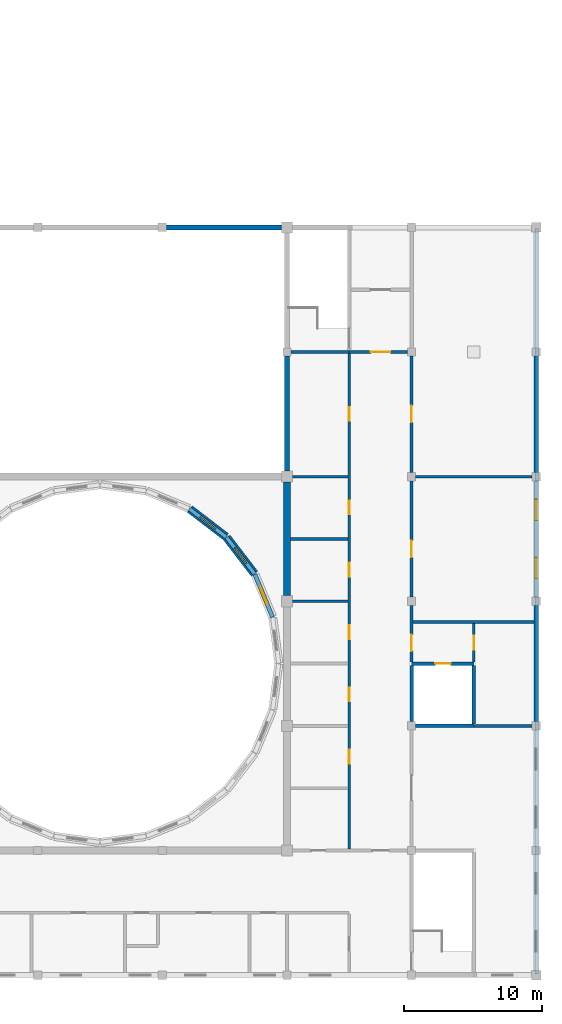
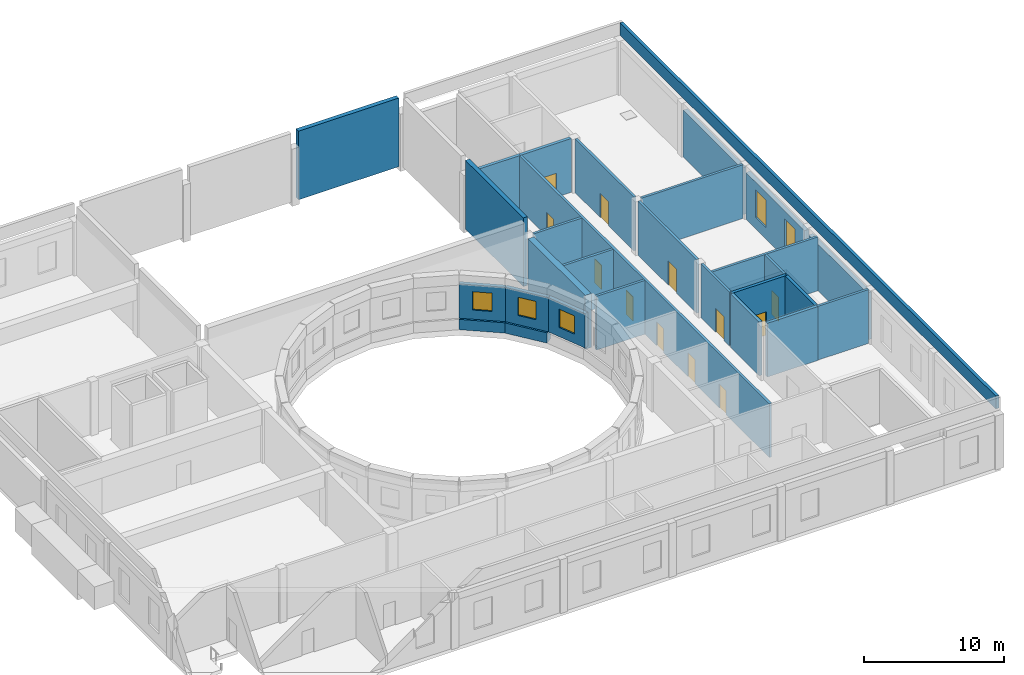
# One storey, part 27 of 35: 29 walls, 12 doors, 5 windows, 17 openings.
"""IFC4 building model written with IfcOpenShell, lengths in metres."""

import ifcopenshell
import ifcopenshell.guid

model = None  # the IFC model being written
_history = None  # IfcOwnerHistory: only IFC2X3 demands one
_inside = {}  # id of a spatial element -> (the spatial element, [elements in it])
_under = {}  # id of a project, library or spatial element -> (it, [spatial elements below it])
_declared = {}  # id of a project -> (the project, [libraries it declares])
_typed = {}  # id of a type object -> (the type object, [elements of that type])
_made_of = {}  # id of a material, layer set ... -> (it, [elements and type objects made of it])


def new_model(schema):
    """Start an empty IFC model of exactly this schema.

    Asked for "IFC4X3", IfcOpenShell would pick the latest addendum, in which some entities
    have other attributes; the version numbers below select the first issue.
    IFC2X3 requires an IfcOwnerHistory on every rooted entity: one is made here for all.
    """
    global model, _history
    if schema == "IFC4X3":
        model = ifcopenshell.file(schema_version=(4, 3, 0, 0))
    else:
        model = ifcopenshell.file(schema=schema)
    _inside.clear()
    _under.clear()
    _declared.clear()
    _typed.clear()
    _made_of.clear()
    _history = None
    if model.schema == "IFC2X3":
        org = make("IfcOrganization", Name="unknown")
        user = make(
            "IfcPersonAndOrganization",
            ThePerson=make("IfcPerson", FamilyName="unknown"),
            TheOrganization=org,
        )
        app = make(
            "IfcApplication",
            ApplicationDeveloper=org,
            Version="unknown",
            ApplicationFullName="unknown",
            ApplicationIdentifier="unknown",
        )
        _history = make(
            "IfcOwnerHistory",
            OwningUser=user,
            OwningApplication=app,
            ChangeAction="ADDED",
            CreationDate=0,
        )
    return model


def make(cls, **values):
    """One entity of the class cls with the attributes given. An attribute that is None is left unset."""
    return model.create_entity(
        cls, **{name: value for name, value in values.items() if value is not None}
    )


def rooted(cls, **values):
    """An entity with a GlobalId (a new one), such as an element, a storey or a relation."""
    return make(cls, GlobalId=ifcopenshell.guid.new(), OwnerHistory=_history, **values)


def si_unit(unit_type, name, prefix=None):
    """IfcSIUnit, for example si_unit("LENGTHUNIT", "METRE", prefix="MILLI")."""
    return make("IfcSIUnit", UnitType=unit_type, Prefix=prefix, Name=name)


def assignment(units):
    """IfcUnitAssignment: the units of a project."""
    return None if units is None else make("IfcUnitAssignment", Units=units)


def point(xyz):
    """IfcCartesianPoint."""
    return None if xyz is None else make("IfcCartesianPoint", Coordinates=xyz)


def direction(xyz):
    """IfcDirection."""
    return None if xyz is None else make("IfcDirection", DirectionRatios=xyz)


def frame(location, z_axis=None, x_axis=None):
    """IfcAxis2Placement3D, a coordinate frame: its origin and axes. An axis left out is left unset."""
    return make(
        "IfcAxis2Placement3D",
        Location=point(location),
        Axis=direction(z_axis),
        RefDirection=direction(x_axis),
    )


def frame_2d(location, x_axis=None):
    """IfcAxis2Placement2D, a coordinate frame in the plane: its origin and x axis."""
    return make(
        "IfcAxis2Placement2D", Location=point(location), RefDirection=direction(x_axis)
    )


def origin():
    """The frame at (0, 0, 0) with its axes left unset."""
    return frame((0.0, 0.0, 0.0))


def place(relative_to, where):
    """IfcLocalPlacement: puts the frame where relative to a parent placement (None: the world)."""
    return make(
        "IfcLocalPlacement", PlacementRelTo=relative_to, RelativePlacement=where
    )


def context(
    kind, dimensions, precision=None, world=None, true_north=None, identifier=None
):
    """IfcGeometricRepresentationContext, for example the 3D "Model" context."""
    return make(
        "IfcGeometricRepresentationContext",
        ContextIdentifier=identifier,
        ContextType=kind,
        CoordinateSpaceDimension=dimensions,
        Precision=precision,
        WorldCoordinateSystem=world,
        TrueNorth=true_north,
    )


def subcontext(parent, identifier, kind, view, scale=None):
    """IfcGeometricRepresentationSubContext, for example "Body" below "Model"."""
    return make(
        "IfcGeometricRepresentationSubContext",
        ContextIdentifier=identifier,
        ContextType=kind,
        ParentContext=parent,
        TargetScale=scale,
        TargetView=view,
    )


def project(units=None, contexts=None):
    """IfcProject with its units and contexts."""
    return rooted(
        "IfcProject",
        Name="project",
        RepresentationContexts=contexts,
        UnitsInContext=assignment(units),
    )


def spatial(cls, under=None, at=None, **own):
    """A site, building, storey or space (cls), placed at a placement, below another one or the project."""
    s = rooted(cls, ObjectPlacement=at, **own)
    if under is not None:
        _under.setdefault(under.id(), (under, []))[1].append(s)
    return s


def profile(cls, at=None, kind="AREA", **sizes):
    """A parametric profile (cls). Its sizes go by their IFC names, for example OverallWidth=200.0."""
    return make(cls, ProfileType=kind, Position=at, **sizes)


def rectangle(**sizes):
    """IfcRectangleProfileDef."""
    return profile("IfcRectangleProfileDef", **sizes)


def extrude(swept, where, along, depth):
    """IfcExtrudedAreaSolid: the profile swept, set in the frame where, extruded along a direction by depth."""
    return make(
        "IfcExtrudedAreaSolid",
        SweptArea=swept,
        Position=where,
        ExtrudedDirection=direction(along),
        Depth=depth,
    )


def shape(context_of_items, identifier, shape_type, items):
    """IfcShapeRepresentation: the items that make up one representation, for example the "Body"."""
    return make(
        "IfcShapeRepresentation",
        ContextOfItems=context_of_items,
        RepresentationIdentifier=identifier,
        RepresentationType=shape_type,
        Items=items,
    )


def material(Name=None, Category=None):
    """IfcMaterial."""
    return make("IfcMaterial", Name=Name, Category=Category)


def layer(
    of_material, thickness, ventilated=None, Name=None, Category=None, Priority=None
):
    """IfcMaterialLayer: one layer of a wall or slab, of a material (None: an air gap)."""
    return make(
        "IfcMaterialLayer",
        Material=of_material,
        LayerThickness=thickness,
        IsVentilated=ventilated,
        Name=Name,
        Category=Category,
        Priority=Priority,
    )


def layer_set(layers, Name=None):
    """IfcMaterialLayerSet."""
    return make("IfcMaterialLayerSet", MaterialLayers=layers, LayerSetName=Name)


def made_of(thing, what):
    """Note that an element or type object is made of a material, layer set ...; save() writes the relation."""
    if what is not None:
        _made_of.setdefault(what.id(), (what, []))[1].append(thing)
    return thing


def type_object(cls, material=None, **own):
    """A type object (cls), such as IfcWallType, which elements share."""
    return made_of(rooted(cls, **own), material)


def element(
    cls,
    number,
    at=None,
    inside=None,
    cuts=None,
    type_object=None,
    material=None,
    context=None,
    identifier="Body",
    shape_type=None,
    held_by="IfcProductDefinitionShape",
    body=None,
    shapes=None,
    **own,
):
    """One element of the class cls, such as IfcWall. Its Tag is "e" and its number.

    at: its placement. inside: the storey or other place that contains it. cuts: it is an
    opening in that element (IfcRelVoidsElement). A single representation is given by context,
    identifier, shape_type and body (its items); several are given by shapes. held_by: the class
    of the entity that holds the representations. save() writes the other relations.
    """
    e = rooted(cls, Tag="e%d" % number, ObjectPlacement=at, **own)
    if body is not None:
        shapes = [shape(context, identifier, shape_type, body)]
    if shapes is not None:
        e.Representation = make(held_by, Representations=shapes)
    if inside is not None:
        _inside.setdefault(inside.id(), (inside, []))[1].append(e)
    if cuts is not None:
        rooted(
            "IfcRelVoidsElement", RelatingBuildingElement=cuts, RelatedOpeningElement=e
        )
    if type_object is not None:
        _typed.setdefault(type_object.id(), (type_object, []))[1].append(e)
    return made_of(e, material)


def fill(opening, filler):
    """IfcRelFillsElement: the door or window that sits in an opening."""
    return rooted(
        "IfcRelFillsElement",
        RelatingOpeningElement=opening,
        RelatedBuildingElement=filler,
    )


def aggregate(whole, parts):
    """IfcRelAggregates: a whole, such as a stair, and the parts it consists of."""
    return rooted("IfcRelAggregates", RelatingObject=whole, RelatedObjects=parts)


def save(model, path):
    """Write the relations noted so far, then the file.

    IfcRelAggregates (storeys below a building ...), IfcRelContainedInSpatialStructure (elements
    in a storey), IfcRelDefinesByType, IfcRelAssociatesMaterial and IfcRelDeclares: one each for
    every whole, place, type object, material and project.
    """
    for whole, parts in _under.values():
        aggregate(whole, parts)
    for where, things in _inside.values():
        rooted(
            "IfcRelContainedInSpatialStructure",
            RelatedElements=things,
            RelatingStructure=where,
        )
    for kind, things in _typed.values():
        rooted("IfcRelDefinesByType", RelatedObjects=things, RelatingType=kind)
    for what, things in _made_of.values():
        rooted("IfcRelAssociatesMaterial", RelatedObjects=things, RelatingMaterial=what)
    for by, libraries in _declared.values():
        rooted("IfcRelDeclares", RelatingContext=by, RelatedDefinitions=libraries)
    model.write(path)


model = new_model("IFC4")

# Units and contexts
model_context = context("Model", 3, precision=1e-05, world=origin(), true_north=direction((0.0, 1.0)))
body_context = subcontext(model_context, "Body", "Model", "MODEL_VIEW")
ifc_project = project(units=[si_unit("LENGTHUNIT", "METRE"), si_unit("AREAUNIT", "SQUARE_METRE"), si_unit("VOLUMEUNIT", "CUBIC_METRE"), si_unit("PLANEANGLEUNIT", "RADIAN"), si_unit("MASSUNIT", "GRAM", prefix="KILO")], contexts=[model_context])

# Site, building, storey
site_placement = place(None, origin())
site = spatial("IfcSite", under=ifc_project, at=site_placement, CompositionType="ELEMENT")
building_placement = place(site_placement, origin())
building = spatial("IfcBuilding", under=site, at=building_placement, Name="Firuza Court", CompositionType="ELEMENT")
storey_placement = place(building_placement, frame((0.0, 0.0, 24.0)))
storey = spatial("IfcBuildingStorey", under=building, at=storey_placement, Name="L04", CompositionType="ELEMENT", Elevation=24.0)

# Wall, opening, window
ifc_material_1 = material(Name="Concrete C40/50", Category="concrete")
ifc_layer_1 = layer(ifc_material_1, 0.300048828125)
ifc_layer_set_1 = layer_set([ifc_layer_1], Name="Concrete C40/50")
wall_type_1 = type_object("IfcWallType", Name="HALL DRUM WALL 300", PredefinedType="STANDARD", material=ifc_layer_set_1)
wall_1_placement = place(storey_placement, frame((133.962890625, 16.859619140625, 1.39990234375), z_axis=(0.0, 0.0, 1.0), x_axis=(-0.382673300321, 0.923883729276, 0.0)))
wall_1 = element("IfcWall", 1, at=wall_1_placement, inside=storey, type_object=wall_type_1, Name="Drum wall 2", PredefinedType="STANDARD", context=body_context, shape_type="SweptSolid", body=[
    extrude(rectangle(XDim=3.330810546875, YDim=0.300048828125, at=frame_2d((1.66552734375, 0.0))), origin(), (0.0, 0.0, 1.0), 3.0),
])
opening_1_placement = place(wall_1_placement, frame((0.96533203125, 0.0, 0.800048828125)))
opening_1 = element("IfcOpeningElement", 2, at=opening_1_placement, cuts=wall_1, Name="Opening HW-4", PredefinedType="OPENING", context=body_context, shape_type="SweptSolid", body=[
    extrude(rectangle(XDim=1.39990234375, YDim=1.60009765625, at=frame_2d((0.699951171875, 0.800048828125))), frame((0.0, 0.162109375, 0.0), z_axis=(0.0, -1.0, 0.0), x_axis=(1.0, 0.0, 0.0)), (0.0, 0.0, 1.0), 0.323974609375),
])
ifc_material_2 = material(Name="Aluminium", Category="aluminium")
window_type_1 = type_object("IfcWindowType", Name="HALL WINDOW 1400X1600", PartitioningType="SINGLE_PANEL", PredefinedType="WINDOW", material=ifc_material_2)
window_1_placement = place(opening_1_placement, origin())
window_1 = element("IfcWindow", 3, at=window_1_placement, inside=storey, type_object=window_type_1, Name="Drum clerestory window 2", OverallHeight=1.60009765625, OverallWidth=1.39990234375, PartitioningType="SINGLE_PANEL", PredefinedType="WINDOW", context=body_context, shape_type="SweptSolid", body=[
    extrude(rectangle(XDim=1.39990234375, YDim=1.60009765625, at=frame_2d((0.699951171875, 0.800048828125))), frame((0.0, 0.030029296875, 0.0), z_axis=(0.0, -1.0, 0.0), x_axis=(1.0, 0.0, 0.0)), (0.0, 0.0, 1.0), 0.06005859375),
])
fill(opening_1, window_1)

wall_2_placement = place(storey_placement, frame((132.668701171875, 19.970947265625, 1.39990234375), z_axis=(0.0, 0.0, 1.0), x_axis=(-0.608771579488, 0.793345551451, 0.0)))
wall_2 = element("IfcWall", 4, at=wall_2_placement, inside=storey, type_object=wall_type_1, Name="Drum wall 3", PredefinedType="STANDARD", context=body_context, shape_type="SweptSolid", body=[
    extrude(rectangle(XDim=3.33056640625, YDim=0.300048828125, at=frame_2d((1.665283203125, 0.0))), origin(), (0.0, 0.0, 1.0), 3.0),
])
opening_2_placement = place(wall_2_placement, frame((0.96533203125, 0.0, 0.800048828125)))
opening_2 = element("IfcOpeningElement", 5, at=opening_2_placement, cuts=wall_2, Name="Opening HW-4", PredefinedType="OPENING", context=body_context, shape_type="SweptSolid", body=[
    extrude(rectangle(XDim=1.39990234375, YDim=1.60009765625, at=frame_2d((0.699951171875, 0.800048828125))), frame((0.0, 0.162109375, 0.0), z_axis=(0.0, -1.0, 0.0), x_axis=(1.0, 0.0, 0.0)), (0.0, 0.0, 1.0), 0.323974609375),
])
window_2_placement = place(opening_2_placement, origin())
window_2 = element("IfcWindow", 6, at=window_2_placement, inside=storey, type_object=window_type_1, Name="Drum clerestory window 3", OverallHeight=1.60009765625, OverallWidth=1.39990234375, PartitioningType="SINGLE_PANEL", PredefinedType="WINDOW", context=body_context, shape_type="SweptSolid", body=[
    extrude(rectangle(XDim=1.39990234375, YDim=1.60009765625, at=frame_2d((0.699951171875, 0.800048828125))), frame((0.0, 0.030029296875, 0.0), z_axis=(0.0, -1.0, 0.0), x_axis=(1.0, 0.0, 0.0)), (0.0, 0.0, 1.0), 0.06005859375),
])
fill(opening_2, window_2)

wall_3_placement = place(storey_placement, frame((130.61328125, 22.64111328125, 1.39990234375), z_axis=(0.0, 0.0, 1.0), x_axis=(-0.793345551451, 0.608771579488, 0.0)))
wall_3 = element("IfcWall", 7, at=wall_3_placement, inside=storey, type_object=wall_type_1, Name="Drum wall 4", PredefinedType="STANDARD", context=body_context, shape_type="SweptSolid", body=[
    extrude(rectangle(XDim=3.33056640625, YDim=0.300048828125, at=frame_2d((1.665283203125, 0.0))), origin(), (0.0, 0.0, 1.0), 3.0),
])
opening_3_placement = place(wall_3_placement, frame((0.96533203125, 0.0, 0.800048828125)))
opening_3 = element("IfcOpeningElement", 8, at=opening_3_placement, cuts=wall_3, Name="Opening HW-4", PredefinedType="OPENING", context=body_context, shape_type="SweptSolid", body=[
    extrude(rectangle(XDim=1.39990234375, YDim=1.60009765625, at=frame_2d((0.699951171875, 0.800048828125))), frame((0.0, 0.162109375, 0.0), z_axis=(0.0, -1.0, 0.0), x_axis=(1.0, 0.0, 0.0)), (0.0, 0.0, 1.0), 0.323974609375),
])
window_3_placement = place(opening_3_placement, origin())
window_3 = element("IfcWindow", 9, at=window_3_placement, inside=storey, type_object=window_type_1, Name="Drum clerestory window 4", OverallHeight=1.60009765625, OverallWidth=1.39990234375, PartitioningType="SINGLE_PANEL", PredefinedType="WINDOW", context=body_context, shape_type="SweptSolid", body=[
    extrude(rectangle(XDim=1.39990234375, YDim=1.60009765625, at=frame_2d((0.699951171875, 0.800048828125))), frame((0.0, 0.030029296875, 0.0), z_axis=(0.0, -1.0, 0.0), x_axis=(1.0, 0.0, 0.0)), (0.0, 0.0, 1.0), 0.06005859375),
])
fill(opening_3, window_3)

# Walls
ifc_material_3 = material(Name="Concrete C30/37", Category="concrete")
ifc_layer_2 = layer(ifc_material_3, 0.25)
ifc_layer_set_2 = layer_set([ifc_layer_2], Name="Concrete C30/37")
wall_type_2 = type_object("IfcWallType", Name="HALL PARAPET 250", PredefinedType="STANDARD", material=ifc_layer_set_2)
wall_4_placement = place(storey_placement, frame((153.050048828125, -8.925048828125, 5.0), z_axis=(0.0, 0.0, 1.0), x_axis=(0.0, 1.0, 0.0)))
element("IfcWall", 10, at=wall_4_placement, inside=storey, type_object=wall_type_2, Name="Roof parapet 5", PredefinedType="STANDARD", context=body_context, shape_type="SweptSolid", body=[
    extrude(rectangle(XDim=53.85009765625, YDim=0.25, at=frame_2d((26.925048828125, 0.0))), origin(), (0.0, 0.0, 1.0), 1.10009765625),
])
ifc_material_4 = material(Name="Blockwork", Category="masonry")
ifc_layer_3 = layer(ifc_material_4, 0.199951171875)
ifc_layer_set_3 = layer_set([ifc_layer_3], Name="Blockwork")
wall_type_3 = type_object("IfcWallType", Name="HALL PARTITION 200", PredefinedType="STANDARD", material=ifc_layer_set_3)
wall_5_placement = place(storey_placement, frame((148.5, 9.0, 0.0), z_axis=(0.0, 0.0, 1.0), x_axis=(1.0, 0.0, 0.0)))
element("IfcWall", 11, at=wall_5_placement, inside=storey, type_object=wall_type_3, Name="Wall L04.23", PredefinedType="STANDARD", context=body_context, shape_type="SweptSolid", body=[
    extrude(rectangle(XDim=4.199951171875, YDim=0.199951171875, at=frame_2d((2.10009765625, 0.0))), origin(), (0.0, 0.0, 1.0), 4.699951171875),
])
wall_6_placement = place(storey_placement, frame((144.10009765625, 16.5, 0.0), z_axis=(0.0, 0.0, 1.0), x_axis=(1.0, 0.0, 0.0)))
element("IfcWall", 12, at=wall_6_placement, inside=storey, type_object=wall_type_3, Name="Wall L04.26", PredefinedType="STANDARD", context=body_context, shape_type="SweptSolid", body=[
    extrude(rectangle(XDim=8.724853515625, YDim=0.199951171875, at=frame_2d((4.3623046875, 0.0))), origin(), (0.0, 0.0, 1.0), 4.699951171875),
])
wall_7_placement = place(storey_placement, frame((135.39990234375, 18.0, 0.0), z_axis=(0.0, 0.0, 1.0), x_axis=(1.0, 0.0, 0.0)))
element("IfcWall", 13, at=wall_7_placement, inside=storey, type_object=wall_type_3, Name="Wall L04.29", PredefinedType="STANDARD", context=body_context, shape_type="SweptSolid", body=[
    extrude(rectangle(XDim=4.0, YDim=0.199951171875, at=frame_2d((2.0, 0.0))), origin(), (0.0, 0.0, 1.0), 4.699951171875),
])
wall_8_placement = place(storey_placement, frame((135.25, 22.5, 0.0), z_axis=(0.0, 0.0, 1.0), x_axis=(1.0, 0.0, 0.0)))
element("IfcWall", 14, at=wall_8_placement, inside=storey, type_object=wall_type_3, Name="Wall L04.30", PredefinedType="STANDARD", context=body_context, shape_type="SweptSolid", body=[
    extrude(rectangle(XDim=4.14990234375, YDim=0.199951171875, at=frame_2d((2.074951171875, 0.0))), origin(), (0.0, 0.0, 1.0), 4.699951171875),
])
wall_9_placement = place(storey_placement, frame((135.39990234375, 27.0, 0.0), z_axis=(0.0, 0.0, 1.0), x_axis=(1.0, 0.0, 0.0)))
element("IfcWall", 15, at=wall_9_placement, inside=storey, type_object=wall_type_3, Name="Wall L04.39", PredefinedType="STANDARD", context=body_context, shape_type="SweptSolid", body=[
    extrude(rectangle(XDim=4.0, YDim=0.199951171875, at=frame_2d((2.0, 0.0))), origin(), (0.0, 0.0, 1.0), 4.699951171875),
])
wall_10_placement = place(storey_placement, frame((144.300048828125, 27.0, 0.0), z_axis=(0.0, 0.0, 1.0), x_axis=(1.0, 0.0, 0.0)))
element("IfcWall", 16, at=wall_10_placement, inside=storey, type_object=wall_type_3, Name="Wall L04.40", PredefinedType="STANDARD", context=body_context, shape_type="SweptSolid", body=[
    extrude(rectangle(XDim=8.39990234375, YDim=0.199951171875, at=frame_2d((4.199951171875, 0.0))), origin(), (0.0, 0.0, 1.0), 4.699951171875),
])

# Wall, openings, doors
wall_11_placement = place(storey_placement, frame((139.5, 0.10009765625, 0.0), z_axis=(0.0, 0.0, 1.0), x_axis=(0.0, 1.0, 0.0)))
wall_11 = element("IfcWall", 17, at=wall_11_placement, inside=storey, type_object=wall_type_3, Name="Wall L04.82", PredefinedType="STANDARD", context=body_context, shape_type="SweptSolid", body=[
    extrude(rectangle(XDim=35.77490234375, YDim=0.199951171875, at=frame_2d((17.887451171875, 0.0))), origin(), (0.0, 0.0, 1.0), 4.699951171875),
])
opening_4_placement = place(wall_11_placement, frame((6.169921875, 0.0, 0.0)))
opening_4 = element("IfcOpeningElement", 18, at=opening_4_placement, cuts=wall_11, Name="Opening H169", PredefinedType="OPENING", context=body_context, shape_type="SweptSolid", body=[
    extrude(rectangle(XDim=1.0, YDim=2.10009765625, at=frame_2d((0.5, 1.050048828125))), frame((0.0, 0.11181640625, 0.0), z_axis=(0.0, -1.0, 0.0), x_axis=(1.0, 0.0, 0.0)), (0.0, 0.0, 1.0), 0.223876953125),
])
opening_5_placement = place(wall_11_placement, frame((10.669921875, 0.0, 0.0)))
opening_5 = element("IfcOpeningElement", 19, at=opening_5_placement, cuts=wall_11, Name="Opening H170", PredefinedType="OPENING", context=body_context, shape_type="SweptSolid", body=[
    extrude(rectangle(XDim=1.0, YDim=2.10009765625, at=frame_2d((0.5, 1.050048828125))), frame((0.0, 0.11181640625, 0.0), z_axis=(0.0, -1.0, 0.0), x_axis=(1.0, 0.0, 0.0)), (0.0, 0.0, 1.0), 0.223876953125),
])
opening_6_placement = place(wall_11_placement, frame((15.169921875, 0.0, 0.0)))
opening_6 = element("IfcOpeningElement", 20, at=opening_6_placement, cuts=wall_11, Name="Opening H171", PredefinedType="OPENING", context=body_context, shape_type="SweptSolid", body=[
    extrude(rectangle(XDim=1.0, YDim=2.10009765625, at=frame_2d((0.5, 1.050048828125))), frame((0.0, 0.11181640625, 0.0), z_axis=(0.0, -1.0, 0.0), x_axis=(1.0, 0.0, 0.0)), (0.0, 0.0, 1.0), 0.223876953125),
])
opening_7_placement = place(wall_11_placement, frame((19.669921875, 0.0, 0.0)))
opening_7 = element("IfcOpeningElement", 21, at=opening_7_placement, cuts=wall_11, Name="Opening H172", PredefinedType="OPENING", context=body_context, shape_type="SweptSolid", body=[
    extrude(rectangle(XDim=1.0, YDim=2.10009765625, at=frame_2d((0.5, 1.050048828125))), frame((0.0, 0.11181640625, 0.0), z_axis=(0.0, -1.0, 0.0), x_axis=(1.0, 0.0, 0.0)), (0.0, 0.0, 1.0), 0.223876953125),
])
opening_8_placement = place(wall_11_placement, frame((24.169921875, 0.0, 0.0)))
opening_8 = element("IfcOpeningElement", 22, at=opening_8_placement, cuts=wall_11, Name="Opening H173", PredefinedType="OPENING", context=body_context, shape_type="SweptSolid", body=[
    extrude(rectangle(XDim=1.0, YDim=2.10009765625, at=frame_2d((0.5, 1.050048828125))), frame((0.0, 0.11181640625, 0.0), z_axis=(0.0, -1.0, 0.0), x_axis=(1.0, 0.0, 0.0)), (0.0, 0.0, 1.0), 0.223876953125),
])
opening_9_placement = place(wall_11_placement, frame((30.919921875, 0.0, 0.0)))
opening_9 = element("IfcOpeningElement", 23, at=opening_9_placement, cuts=wall_11, Name="Opening H174", PredefinedType="OPENING", context=body_context, shape_type="SweptSolid", body=[
    extrude(rectangle(XDim=1.0, YDim=2.10009765625, at=frame_2d((0.5, 1.050048828125))), frame((0.0, 0.11181640625, 0.0), z_axis=(0.0, -1.0, 0.0), x_axis=(1.0, 0.0, 0.0)), (0.0, 0.0, 1.0), 0.223876953125),
])
ifc_material_5 = material(Name="Timber", Category="wood")
door_type_1 = type_object("IfcDoorType", Name="HALL DOOR 1000X2100", OperationType="SINGLE_SWING_LEFT", PredefinedType="DOOR", material=ifc_material_5)
door_1_placement = place(opening_4_placement, origin())
door_1 = element("IfcDoor", 24, at=door_1_placement, inside=storey, type_object=door_type_1, Name="Door Practice room 8", OperationType="SINGLE_SWING_RIGHT", OverallHeight=2.10009765625, OverallWidth=1.0, PredefinedType="DOOR", context=body_context, shape_type="SweptSolid", body=[
    extrude(rectangle(XDim=1.0, YDim=2.10009765625, at=frame_2d((0.5, 1.050048828125))), frame((0.0, 0.02490234375, 0.0), z_axis=(0.0, -1.0, 0.0), x_axis=(1.0, 0.0, 0.0)), (0.0, 0.0, 1.0), 0.050048828125),
])
fill(opening_4, door_1)
door_2_placement = place(opening_5_placement, origin())
door_2 = element("IfcDoor", 25, at=door_2_placement, inside=storey, type_object=door_type_1, Name="Door Practice room 9", OperationType="SINGLE_SWING_RIGHT", OverallHeight=2.10009765625, OverallWidth=1.0, PredefinedType="DOOR", context=body_context, shape_type="SweptSolid", body=[
    extrude(rectangle(XDim=1.0, YDim=2.10009765625, at=frame_2d((0.5, 1.050048828125))), frame((0.0, 0.02490234375, 0.0), z_axis=(0.0, -1.0, 0.0), x_axis=(1.0, 0.0, 0.0)), (0.0, 0.0, 1.0), 0.050048828125),
])
fill(opening_5, door_2)
door_3_placement = place(opening_6_placement, origin())
door_3 = element("IfcDoor", 26, at=door_3_placement, inside=storey, type_object=door_type_1, Name="Door Practice room 10", OperationType="SINGLE_SWING_RIGHT", OverallHeight=2.10009765625, OverallWidth=1.0, PredefinedType="DOOR", context=body_context, shape_type="SweptSolid", body=[
    extrude(rectangle(XDim=1.0, YDim=2.10009765625, at=frame_2d((0.5, 1.050048828125))), frame((0.0, 0.02490234375, 0.0), z_axis=(0.0, -1.0, 0.0), x_axis=(1.0, 0.0, 0.0)), (0.0, 0.0, 1.0), 0.050048828125),
])
fill(opening_6, door_3)
door_4_placement = place(opening_7_placement, origin())
door_4 = element("IfcDoor", 27, at=door_4_placement, inside=storey, type_object=door_type_1, Name="Door Practice room 11", OperationType="SINGLE_SWING_RIGHT", OverallHeight=2.10009765625, OverallWidth=1.0, PredefinedType="DOOR", context=body_context, shape_type="SweptSolid", body=[
    extrude(rectangle(XDim=1.0, YDim=2.10009765625, at=frame_2d((0.5, 1.050048828125))), frame((0.0, 0.02490234375, 0.0), z_axis=(0.0, -1.0, 0.0), x_axis=(1.0, 0.0, 0.0)), (0.0, 0.0, 1.0), 0.050048828125),
])
fill(opening_7, door_4)
door_5_placement = place(opening_8_placement, origin())
door_5 = element("IfcDoor", 28, at=door_5_placement, inside=storey, type_object=door_type_1, Name="Door Practice room 12", OperationType="SINGLE_SWING_RIGHT", OverallHeight=2.10009765625, OverallWidth=1.0, PredefinedType="DOOR", context=body_context, shape_type="SweptSolid", body=[
    extrude(rectangle(XDim=1.0, YDim=2.10009765625, at=frame_2d((0.5, 1.050048828125))), frame((0.0, 0.02490234375, 0.0), z_axis=(0.0, -1.0, 0.0), x_axis=(1.0, 0.0, 0.0)), (0.0, 0.0, 1.0), 0.050048828125),
])
fill(opening_8, door_5)
door_6_placement = place(opening_9_placement, origin())
door_6 = element("IfcDoor", 29, at=door_6_placement, inside=storey, type_object=door_type_1, Name="Door Archive", OperationType="SINGLE_SWING_LEFT", OverallHeight=2.10009765625, OverallWidth=1.0, PredefinedType="DOOR", context=body_context, shape_type="SweptSolid", body=[
    extrude(rectangle(XDim=1.0, YDim=2.10009765625, at=frame_2d((0.5, 1.050048828125))), frame((0.0, 0.02490234375, 0.0), z_axis=(0.0, -1.0, 0.0), x_axis=(1.0, 0.0, 0.0)), (0.0, 0.0, 1.0), 0.050048828125),
])
fill(opening_9, door_6)

# Wall, opening, door
wall_12_placement = place(storey_placement, frame((144.0, 13.625, 0.0), z_axis=(0.0, 0.0, 1.0), x_axis=(0.0, 1.0, 0.0)))
wall_12 = element("IfcWall", 30, at=wall_12_placement, inside=storey, type_object=wall_type_3, Name="Wall L04.87", PredefinedType="STANDARD", context=body_context, shape_type="SweptSolid", body=[
    extrude(rectangle(XDim=4.074951171875, YDim=0.199951171875, at=frame_2d((2.03759765625, 0.0))), origin(), (0.0, 0.0, 1.0), 4.699951171875),
])
opening_10_placement = place(wall_12_placement, frame((0.77001953125, 0.0, 0.0)))
opening_10 = element("IfcOpeningElement", 31, at=opening_10_placement, cuts=wall_12, Name="Opening H155", PredefinedType="OPENING", context=body_context, shape_type="SweptSolid", body=[
    extrude(rectangle(XDim=1.199951171875, YDim=2.10009765625, at=frame_2d((0.60009765625, 1.050048828125))), frame((0.0, 0.11181640625, 0.0), z_axis=(0.0, -1.0, 0.0), x_axis=(1.0, 0.0, 0.0)), (0.0, 0.0, 1.0), 0.223876953125),
])
ifc_material_6 = material(Name="Timber", Category="wood")
door_type_2 = type_object("IfcDoorType", Name="HALL DOOR 1200X2100", OperationType="SINGLE_SWING_LEFT", PredefinedType="DOOR", material=ifc_material_6)
door_7_placement = place(opening_10_placement, frame((1.199951171875, 0.0, 0.0), z_axis=(0.0, 0.0, 1.0), x_axis=(-1.0, 0.0, 0.0)))
door_7 = element("IfcDoor", 32, at=door_7_placement, inside=storey, type_object=door_type_2, Name="Door Goods lobby to Backstage corridor", OperationType="SINGLE_SWING_RIGHT", OverallHeight=2.10009765625, OverallWidth=1.199951171875, PredefinedType="DOOR", context=body_context, shape_type="SweptSolid", body=[
    extrude(rectangle(XDim=1.199951171875, YDim=2.10009765625, at=frame_2d((0.60009765625, 1.050048828125))), frame((0.0, 0.02490234375, 0.0), z_axis=(0.0, -1.0, 0.0), x_axis=(1.0, 0.0, 0.0)), (0.0, 0.0, 1.0), 0.050048828125),
])
fill(opening_10, door_7)

wall_13_placement = place(storey_placement, frame((144.0, 18.300048828125, 0.0), z_axis=(0.0, 0.0, 1.0), x_axis=(0.0, 1.0, 0.0)))
wall_13 = element("IfcWall", 33, at=wall_13_placement, inside=storey, type_object=wall_type_3, Name="Wall L04.88", PredefinedType="STANDARD", context=body_context, shape_type="SweptSolid", body=[
    extrude(rectangle(XDim=8.39990234375, YDim=0.199951171875, at=frame_2d((4.199951171875, 0.0))), origin(), (0.0, 0.0, 1.0), 4.699951171875),
])
opening_11_placement = place(wall_13_placement, frame((2.8701171875, 0.0, 0.0)))
opening_11 = element("IfcOpeningElement", 34, at=opening_11_placement, cuts=wall_13, Name="Opening H177", PredefinedType="OPENING", context=body_context, shape_type="SweptSolid", body=[
    extrude(rectangle(XDim=1.199951171875, YDim=2.10009765625, at=frame_2d((0.60009765625, 1.050048828125))), frame((0.0, 0.11181640625, 0.0), z_axis=(0.0, -1.0, 0.0), x_axis=(1.0, 0.0, 0.0)), (0.0, 0.0, 1.0), 0.223876953125),
])
door_8_placement = place(opening_11_placement, frame((1.199951171875, 0.0, 0.0), z_axis=(0.0, 0.0, 1.0), x_axis=(-1.0, 0.0, 0.0)))
door_8 = element("IfcDoor", 35, at=door_8_placement, inside=storey, type_object=door_type_2, Name="Door Fan plant room", OperationType="SINGLE_SWING_RIGHT", OverallHeight=2.10009765625, OverallWidth=1.199951171875, PredefinedType="DOOR", context=body_context, shape_type="SweptSolid", body=[
    extrude(rectangle(XDim=1.199951171875, YDim=2.10009765625, at=frame_2d((0.60009765625, 1.050048828125))), frame((0.0, 0.02490234375, 0.0), z_axis=(0.0, -1.0, 0.0), x_axis=(1.0, 0.0, 0.0)), (0.0, 0.0, 1.0), 0.050048828125),
])
fill(opening_11, door_8)

wall_14_placement = place(storey_placement, frame((144.0, 27.300048828125, 0.0), z_axis=(0.0, 0.0, 1.0), x_axis=(0.0, 1.0, 0.0)))
wall_14 = element("IfcWall", 36, at=wall_14_placement, inside=storey, type_object=wall_type_3, Name="Wall L04.89", PredefinedType="STANDARD", context=body_context, shape_type="SweptSolid", body=[
    extrude(rectangle(XDim=8.39990234375, YDim=0.199951171875, at=frame_2d((4.199951171875, 0.0))), origin(), (0.0, 0.0, 1.0), 4.699951171875),
])
opening_12_placement = place(wall_14_placement, frame((3.6201171875, 0.0, 0.0)))
opening_12 = element("IfcOpeningElement", 37, at=opening_12_placement, cuts=wall_14, Name="Opening H178", PredefinedType="OPENING", context=body_context, shape_type="SweptSolid", body=[
    extrude(rectangle(XDim=1.199951171875, YDim=2.10009765625, at=frame_2d((0.60009765625, 1.050048828125))), frame((0.0, 0.11181640625, 0.0), z_axis=(0.0, -1.0, 0.0), x_axis=(1.0, 0.0, 0.0)), (0.0, 0.0, 1.0), 0.223876953125),
])
door_9_placement = place(opening_12_placement, frame((1.199951171875, 0.0, 0.0), z_axis=(0.0, 0.0, 1.0), x_axis=(-1.0, 0.0, 0.0)))
door_9 = element("IfcDoor", 38, at=door_9_placement, inside=storey, type_object=door_type_2, Name="Door Plant room", OperationType="SINGLE_SWING_RIGHT", OverallHeight=2.10009765625, OverallWidth=1.199951171875, PredefinedType="DOOR", context=body_context, shape_type="SweptSolid", body=[
    extrude(rectangle(XDim=1.199951171875, YDim=2.10009765625, at=frame_2d((0.60009765625, 1.050048828125))), frame((0.0, 0.02490234375, 0.0), z_axis=(0.0, -1.0, 0.0), x_axis=(1.0, 0.0, 0.0)), (0.0, 0.0, 1.0), 0.050048828125),
])
fill(opening_12, door_9)

wall_15_placement = place(storey_placement, frame((148.5, 13.625, 0.0), z_axis=(0.0, 0.0, 1.0), x_axis=(0.0, 1.0, 0.0)))
wall_15 = element("IfcWall", 39, at=wall_15_placement, inside=storey, type_object=wall_type_3, Name="Wall L04.93", PredefinedType="STANDARD", context=body_context, shape_type="SweptSolid", body=[
    extrude(rectangle(XDim=2.77490234375, YDim=0.199951171875, at=frame_2d((1.387451171875, 0.0))), origin(), (0.0, 0.0, 1.0), 4.699951171875),
])
opening_13_placement = place(wall_15_placement, frame((0.8701171875, 0.0, 0.0)))
opening_13 = element("IfcOpeningElement", 40, at=opening_13_placement, cuts=wall_15, Name="Opening H176", PredefinedType="OPENING", context=body_context, shape_type="SweptSolid", body=[
    extrude(rectangle(XDim=1.0, YDim=2.10009765625, at=frame_2d((0.5, 1.050048828125))), frame((0.0, 0.11181640625, 0.0), z_axis=(0.0, -1.0, 0.0), x_axis=(1.0, 0.0, 0.0)), (0.0, 0.0, 1.0), 0.223876953125),
])
door_10_placement = place(opening_13_placement, frame((1.0, 0.0, 0.0), z_axis=(0.0, 0.0, 1.0), x_axis=(-1.0, 0.0, 0.0)))
door_10 = element("IfcDoor", 41, at=door_10_placement, inside=storey, type_object=door_type_1, Name="Door Scenery store", OperationType="SINGLE_SWING_LEFT", OverallHeight=2.10009765625, OverallWidth=1.0, PredefinedType="DOOR", context=body_context, shape_type="SweptSolid", body=[
    extrude(rectangle(XDim=1.0, YDim=2.10009765625, at=frame_2d((0.5, 1.050048828125))), frame((0.0, 0.02490234375, 0.0), z_axis=(0.0, -1.0, 0.0), x_axis=(1.0, 0.0, 0.0)), (0.0, 0.0, 1.0), 0.050048828125),
])
fill(opening_13, door_10)

# Wall
ifc_layer_4 = layer(ifc_material_1, 0.25)
ifc_layer_set_4 = layer_set([ifc_layer_4], Name="Concrete C40/50")
wall_type_4 = type_object("IfcWallType", Name="HALL RC WALL 250", PredefinedType="STANDARD", material=ifc_layer_set_4)
wall_16_placement = place(storey_placement, frame((144.300048828125, 9.0, 0.0), z_axis=(0.0, 0.0, 1.0), x_axis=(1.0, 0.0, 0.0)))
element("IfcWall", 42, at=wall_16_placement, inside=storey, type_object=wall_type_4, Name="Wall L04.22", PredefinedType="STANDARD", context=body_context, shape_type="SweptSolid", body=[
    extrude(rectangle(XDim=4.199951171875, YDim=0.25, at=frame_2d((2.10009765625, 0.0))), origin(), (0.0, 0.0, 1.0), 4.699951171875),
])

# Wall, opening, door
wall_17_placement = place(storey_placement, frame((144.0, 13.5, 0.0), z_axis=(0.0, 0.0, 1.0), x_axis=(1.0, 0.0, 0.0)))
wall_17 = element("IfcWall", 43, at=wall_17_placement, inside=storey, type_object=wall_type_4, Name="Wall L04.25", PredefinedType="STANDARD", context=body_context, shape_type="SweptSolid", body=[
    extrude(rectangle(XDim=4.5, YDim=0.25, at=frame_2d((2.25, 0.0))), origin(), (0.0, 0.0, 1.0), 4.699951171875),
])
opening_14_placement = place(wall_17_placement, frame((1.719970703125, 0.0, 0.0)))
opening_14 = element("IfcOpeningElement", 44, at=opening_14_placement, cuts=wall_17, Name="Opening LD", PredefinedType="OPENING", context=body_context, shape_type="SweptSolid", body=[
    extrude(rectangle(XDim=1.10009765625, YDim=2.10009765625, at=frame_2d((0.550048828125, 1.050048828125))), frame((0.0, 0.136962890625, 0.0), z_axis=(0.0, -1.0, 0.0), x_axis=(1.0, 0.0, 0.0)), (0.0, 0.0, 1.0), 0.27392578125),
])
ifc_material_7 = material(Name="Stainless steel", Category="steel")
door_type_3 = type_object("IfcDoorType", Name="HALL LANDING DOOR 1100X2100", OperationType="SLIDING_TO_LEFT", PredefinedType="DOOR", material=ifc_material_7)
door_11_placement = place(opening_14_placement, origin())
door_11 = element("IfcDoor", 45, at=door_11_placement, inside=storey, type_object=door_type_3, Name="Landing door GL1 L04", OperationType="SLIDING_TO_LEFT", OverallHeight=2.10009765625, OverallWidth=1.10009765625, PredefinedType="DOOR", context=body_context, shape_type="SweptSolid", body=[
    extrude(rectangle(XDim=1.10009765625, YDim=2.10009765625, at=frame_2d((0.550048828125, 1.050048828125))), frame((0.0, 0.02490234375, 0.0), z_axis=(0.0, -1.0, 0.0), x_axis=(1.0, 0.0, 0.0)), (0.0, 0.0, 1.0), 0.050048828125),
])
fill(opening_14, door_11)

# Wall
wall_18_placement = place(storey_placement, frame((135.300048828125, 36.0, 0.0), z_axis=(0.0, 0.0, 1.0), x_axis=(1.0, 0.0, 0.0)))
element("IfcWall", 46, at=wall_18_placement, inside=storey, type_object=wall_type_4, Name="Wall L04.41", PredefinedType="STANDARD", context=body_context, shape_type="SweptSolid", body=[
    extrude(rectangle(XDim=4.199951171875, YDim=0.25, at=frame_2d((2.10009765625, 0.0))), origin(), (0.0, 0.0, 1.0), 4.699951171875),
])

# Wall, opening, door
wall_19_placement = place(storey_placement, frame((139.5, 36.0, 0.0), z_axis=(0.0, 0.0, 1.0), x_axis=(1.0, 0.0, 0.0)))
wall_19 = element("IfcWall", 47, at=wall_19_placement, inside=storey, type_object=wall_type_4, Name="Wall L04.42", PredefinedType="STANDARD", context=body_context, shape_type="SweptSolid", body=[
    extrude(rectangle(XDim=4.199951171875, YDim=0.25, at=frame_2d((2.10009765625, 0.0))), origin(), (0.0, 0.0, 1.0), 4.699951171875),
])
opening_15_placement = place(wall_19_placement, frame((1.570068359375, 0.0, 0.0)))
opening_15 = element("IfcOpeningElement", 48, at=opening_15_placement, cuts=wall_19, Name="Opening H152", PredefinedType="OPENING", context=body_context, shape_type="SweptSolid", body=[
    extrude(rectangle(XDim=1.39990234375, YDim=2.10009765625, at=frame_2d((0.699951171875, 1.050048828125))), frame((0.0, 0.136962890625, 0.0), z_axis=(0.0, -1.0, 0.0), x_axis=(1.0, 0.0, 0.0)), (0.0, 0.0, 1.0), 0.27392578125),
])
ifc_material_8 = material(Name="Timber", Category="wood")
door_type_4 = type_object("IfcDoorType", Name="HALL DOOR 1400X2100", OperationType="DOUBLE_DOOR_SINGLE_SWING", PredefinedType="DOOR", material=ifc_material_8)
door_12_placement = place(opening_15_placement, origin())
door_12 = element("IfcDoor", 49, at=door_12_placement, inside=storey, type_object=door_type_4, Name="Exit door stair H4 lobby", OperationType="DOUBLE_DOOR_SINGLE_SWING", OverallHeight=2.10009765625, OverallWidth=1.39990234375, PredefinedType="DOOR", context=body_context, shape_type="SweptSolid", body=[
    extrude(rectangle(XDim=1.39990234375, YDim=2.10009765625, at=frame_2d((0.699951171875, 1.050048828125))), frame((0.0, 0.02490234375, 0.0), z_axis=(0.0, -1.0, 0.0), x_axis=(1.0, 0.0, 0.0)), (0.0, 0.0, 1.0), 0.050048828125),
])
fill(opening_15, door_12)

# Walls
wall_20_placement = place(storey_placement, frame((144.0, 9.300048828125, 0.0), z_axis=(0.0, 0.0, 1.0), x_axis=(0.0, 1.0, 0.0)))
element("IfcWall", 50, at=wall_20_placement, inside=storey, type_object=wall_type_4, Name="Wall L04.86", PredefinedType="STANDARD", context=body_context, shape_type="SweptSolid", body=[
    extrude(rectangle(XDim=4.074951171875, YDim=0.25, at=frame_2d((2.03759765625, 0.0))), origin(), (0.0, 0.0, 1.0), 4.699951171875),
])
wall_21_placement = place(storey_placement, frame((148.5, 9.125, 0.0), z_axis=(0.0, 0.0, 1.0), x_axis=(0.0, 1.0, 0.0)))
element("IfcWall", 51, at=wall_21_placement, inside=storey, type_object=wall_type_4, Name="Wall L04.92", PredefinedType="STANDARD", context=body_context, shape_type="SweptSolid", body=[
    extrude(rectangle(XDim=4.25, YDim=0.25, at=frame_2d((2.125, 0.0))), origin(), (0.0, 0.0, 1.0), 4.699951171875),
])
ifc_layer_5 = layer(ifc_material_1, 0.5)
ifc_layer_set_5 = layer_set([ifc_layer_5], Name="Concrete C40/50")
wall_type_5 = type_object("IfcWallType", Name="HALL RC WALL 500", PredefinedType="STANDARD", material=ifc_layer_set_5)
wall_22_placement = place(storey_placement, frame((135.0, 18.39990234375, 0.0), z_axis=(0.0, 0.0, 1.0), x_axis=(0.0, 1.0, 0.0)))
element("IfcWall", 52, at=wall_22_placement, inside=storey, type_object=wall_type_5, Name="Wall L04.78", PredefinedType="STANDARD", context=body_context, shape_type="SweptSolid", body=[
    extrude(rectangle(XDim=8.2001953125, YDim=0.5, at=frame_2d((4.10009765625, 0.0))), origin(), (0.0, 0.0, 1.0), 4.699951171875),
])
ifc_layer_6 = layer(ifc_material_1, 0.60009765625)
ifc_layer_set_6 = layer_set([ifc_layer_6], Name="Concrete C40/50")
wall_type_6 = type_object("IfcWallType", Name="HALL RING WALL 600", PredefinedType="STANDARD", material=ifc_layer_set_6)
for number, where, z_axis, x_axis, name in (
    (53, (132.65673828125, 19.986572265625, 0.5), (0.0, 0.0, 1.0), (-0.608781872031, 0.79333765339, 0.0), "Drum base ring wall 3"),
    (54, (130.59765625, 22.653076171875, 0.5), (0.0, 0.0, 1.0), (-0.79333765339, 0.608781872031, 0.0), "Drum base ring wall 4"),
):
    element("IfcWall", number, at=place(storey_placement, frame(where, z_axis=z_axis, x_axis=x_axis)), inside=storey, type_object=wall_type_6, Name=name, PredefinedType="STANDARD", context=body_context, shape_type="SweptSolid", body=[
        extrude(rectangle(XDim=3.291259765625, YDim=0.60009765625, at=frame_2d((1.6455078125, 0.0))), origin(), (0.0, 0.0, 1.0), 0.89990234375),
    ])
ifc_layer_7 = layer(ifc_material_1, 0.35009765625)
ifc_layer_set_7 = layer_set([ifc_layer_7], Name="Concrete C40/50")
wall_type_7 = type_object("IfcWallType", Name="HALL STAGE HOUSE WALL 350", PredefinedType="STANDARD", material=ifc_layer_set_7)
wall_23_placement = place(storey_placement, frame((135.0, 27.39990234375, 0.0), z_axis=(0.0, 0.0, 1.0), x_axis=(0.0, 1.0, 0.0)))
element("IfcWall", 55, at=wall_23_placement, inside=storey, type_object=wall_type_7, Name="Wall L04.79", PredefinedType="STANDARD", context=body_context, shape_type="SweptSolid", body=[
    extrude(rectangle(XDim=8.300048828125, YDim=0.35009765625, at=frame_2d((4.14990234375, 0.0))), origin(), (0.0, 0.0, 1.0), 6.0),
])
ifc_material_9 = material(Name="Concrete C30/37", Category="concrete")
ifc_layer_8 = layer(ifc_material_9, 0.300048828125)
ifc_material_10 = material(Name="Ceramic tile", Category="ceramic")
ifc_layer_9 = layer(ifc_material_10, 0.050048828125)
ifc_layer_set_8 = layer_set([ifc_layer_8, ifc_layer_9], Name="Concrete C30/37")
wall_type_8 = type_object("IfcWallType", Name="HALL TILE CLAD WALL 350", PredefinedType="STANDARD", material=ifc_layer_set_8)
wall_24_placement = place(storey_placement, frame((126.300048828125, 45.0, 0.0), z_axis=(0.0, 0.0, 1.0), x_axis=(1.0, 0.0, 0.0)))
element("IfcWall", 56, at=wall_24_placement, inside=storey, type_object=wall_type_8, Name="Wall L04.48", PredefinedType="STANDARD", context=body_context, shape_type="SweptSolid", body=[
    extrude(rectangle(XDim=8.300048828125, YDim=0.35009765625, at=frame_2d((4.14990234375, 0.0))), origin(), (0.0, 0.0, 1.0), 6.0),
])
wall_25_placement = place(storey_placement, frame((153.0, 9.300048828125, 0.0), z_axis=(0.0, 0.0, 1.0), x_axis=(0.0, 1.0, 0.0)))
element("IfcWall", 57, at=wall_25_placement, inside=storey, type_object=wall_type_8, Name="Wall L04.96", PredefinedType="STANDARD", context=body_context, shape_type="SweptSolid", body=[
    extrude(rectangle(XDim=8.39990234375, YDim=0.35009765625, at=frame_2d((4.199951171875, 0.0))), origin(), (0.0, 0.0, 1.0), 4.10009765625),
])

# Wall, openings, windows
wall_26_placement = place(storey_placement, frame((153.0, 18.300048828125, 0.0), z_axis=(0.0, 0.0, 1.0), x_axis=(0.0, 1.0, 0.0)))
wall_26 = element("IfcWall", 58, at=wall_26_placement, inside=storey, type_object=wall_type_8, Name="Wall L04.97", PredefinedType="STANDARD", context=body_context, shape_type="SweptSolid", body=[
    extrude(rectangle(XDim=8.39990234375, YDim=0.35009765625, at=frame_2d((4.199951171875, 0.0))), origin(), (0.0, 0.0, 1.0), 4.10009765625),
])
opening_16_placement = place(wall_26_placement, frame((1.35009765625, 0.0, 1.0)))
opening_16 = element("IfcOpeningElement", 59, at=opening_16_placement, cuts=wall_26, Name="Opening HW-1", PredefinedType="OPENING", context=body_context, shape_type="SweptSolid", body=[
    extrude(rectangle(XDim=1.5, YDim=2.39990234375, at=frame_2d((0.75, 1.199951171875))), frame((0.0, 0.18701171875, 0.0), z_axis=(0.0, -1.0, 0.0), x_axis=(1.0, 0.0, 0.0)), (0.0, 0.0, 1.0), 0.3740234375),
])
opening_17_placement = place(wall_26_placement, frame((5.550048828125, 0.0, 1.0)))
opening_17 = element("IfcOpeningElement", 60, at=opening_17_placement, cuts=wall_26, Name="Opening HW-1", PredefinedType="OPENING", context=body_context, shape_type="SweptSolid", body=[
    extrude(rectangle(XDim=1.5, YDim=2.39990234375, at=frame_2d((0.75, 1.199951171875))), frame((0.0, 0.18701171875, 0.0), z_axis=(0.0, -1.0, 0.0), x_axis=(1.0, 0.0, 0.0)), (0.0, 0.0, 1.0), 0.3740234375),
])
ifc_material_11 = material(Name="Aluminium", Category="aluminium")
window_type_2 = type_object("IfcWindowType", Name="HALL WINDOW 1500X2400", PartitioningType="SINGLE_PANEL", PredefinedType="WINDOW", material=ifc_material_11)
window_4_placement = place(opening_16_placement, origin())
window_4 = element("IfcWindow", 61, at=window_4_placement, inside=storey, type_object=window_type_2, Name="Window L04.134", OverallHeight=2.39990234375, OverallWidth=1.5, PartitioningType="SINGLE_PANEL", PredefinedType="WINDOW", context=body_context, shape_type="SweptSolid", body=[
    extrude(rectangle(XDim=1.5, YDim=2.39990234375, at=frame_2d((0.75, 1.199951171875))), frame((0.0, 0.030029296875, 0.0), z_axis=(0.0, -1.0, 0.0), x_axis=(1.0, 0.0, 0.0)), (0.0, 0.0, 1.0), 0.06005859375),
])
fill(opening_16, window_4)
window_5_placement = place(opening_17_placement, origin())
window_5 = element("IfcWindow", 62, at=window_5_placement, inside=storey, type_object=window_type_2, Name="Window L04.135", OverallHeight=2.39990234375, OverallWidth=1.5, PartitioningType="SINGLE_PANEL", PredefinedType="WINDOW", context=body_context, shape_type="SweptSolid", body=[
    extrude(rectangle(XDim=1.5, YDim=2.39990234375, at=frame_2d((0.75, 1.199951171875))), frame((0.0, 0.030029296875, 0.0), z_axis=(0.0, -1.0, 0.0), x_axis=(1.0, 0.0, 0.0)), (0.0, 0.0, 1.0), 0.06005859375),
])
fill(opening_17, window_5)

# Wall
wall_27_placement = place(storey_placement, frame((153.0, 27.300048828125, 0.0), z_axis=(0.0, 0.0, 1.0), x_axis=(0.0, 1.0, 0.0)))
element("IfcWall", 63, at=wall_27_placement, inside=storey, type_object=wall_type_8, Name="Wall L04.98", PredefinedType="STANDARD", context=body_context, shape_type="SweptSolid", body=[
    extrude(rectangle(XDim=8.39990234375, YDim=0.35009765625, at=frame_2d((4.199951171875, 0.0))), origin(), (0.0, 0.0, 1.0), 4.10009765625),
])

save(model, "model.ifc")
